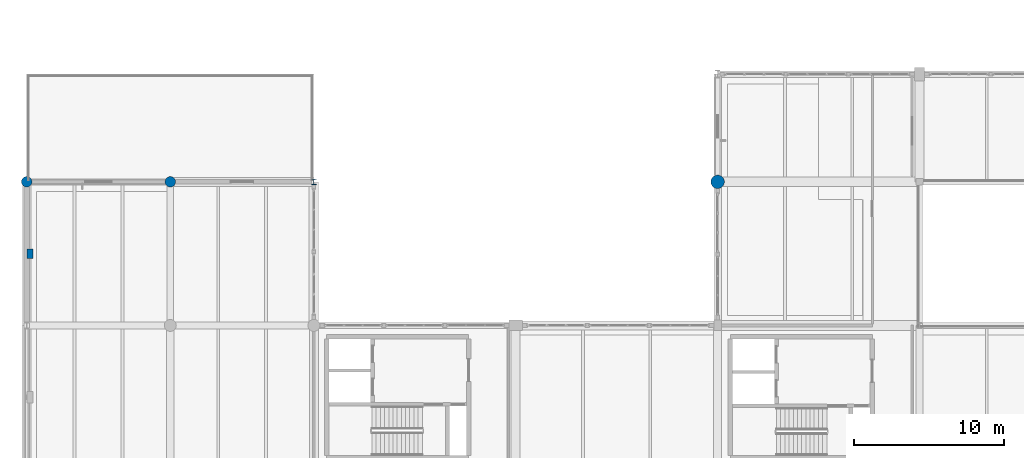
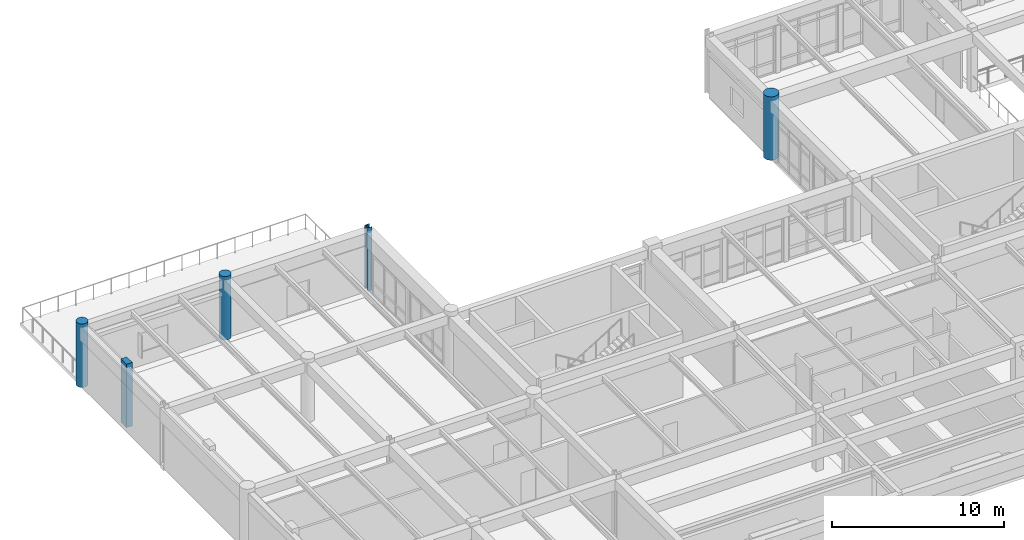
# One storey, part 3 of 80: 5 columns.
"""IFC4 building model written with IfcOpenShell, lengths in metres."""

from ifc_helpers import new_model, si_unit, direction, frame, origin, origin_2d, place, context, subcontext, project, spatial, rectangle, circle, i_section, extrude, material, material_profile, profile_set, type_object, element, save


model = new_model("IFC4")

# Units and contexts
model_context = context("Model", 3, precision=1e-05, world=origin(), true_north=direction((0.0, 1.0)))
body_context = subcontext(model_context, "Body", "Model", "MODEL_VIEW")
ifc_project = project(units=[si_unit("LENGTHUNIT", "METRE"), si_unit("AREAUNIT", "SQUARE_METRE"), si_unit("VOLUMEUNIT", "CUBIC_METRE"), si_unit("PLANEANGLEUNIT", "RADIAN"), si_unit("MASSUNIT", "GRAM", prefix="KILO")], contexts=[model_context])

# Site, building, storey
site_placement = place(None, origin())
site = spatial("IfcSite", under=ifc_project, at=site_placement, CompositionType="ELEMENT")
building_placement = place(site_placement, origin())
building = spatial("IfcBuilding", under=site, at=building_placement, Name="Fikremerkos Civic Library", CompositionType="ELEMENT")
storey_placement = place(building_placement, frame((0.0, 0.0, 9.89990234375)))
storey = spatial("IfcBuildingStorey", under=building, at=storey_placement, Name="L02", CompositionType="ELEMENT", Elevation=9.89990234375)

# Columns
ifc_material_1 = material(Name="Concrete C45/55", Category="concrete")
ifc_material_profile_1 = material_profile(ifc_material_1, circle(Radius=0.449951171875, at=origin_2d()), Name="RC D900")
ifc_profile_set_1 = profile_set([ifc_material_profile_1], Name="Concrete C45/55")
column_type_1 = type_object("IfcColumnType", Name="Structural column COL-17 RC D900", PredefinedType="COLUMN", material=ifc_profile_set_1)
column_1_placement = place(storey_placement, frame((46.199951171875, 40.800048828125, 0.0), z_axis=(0.0, 0.0, 1.0), x_axis=(1.0, 0.0, 0.0)))
element("IfcColumn", 1, at=column_1_placement, inside=storey, type_object=column_type_1, Name="Column COL-17 L02 5/H", PredefinedType="COLUMN", context=body_context, shape_type="SweptSolid", body=[
    extrude(circle(Radius=0.449951171875, at=origin_2d()), origin(), (0.0, 0.0, 1.0), 4.5),
])
ifc_material_2 = material(Name="Concrete C40/50", Category="concrete")
ifc_material_profile_2 = material_profile(ifc_material_2, circle(Radius=0.35009765625, at=origin_2d()), Name="RC D700")
ifc_profile_set_2 = profile_set([ifc_material_profile_2], Name="Concrete C40/50")
column_type_2 = type_object("IfcColumnType", Name="Structural column COL-19 RC D700", PredefinedType="COLUMN", material=ifc_profile_set_2)
for number, where, z_axis, x_axis, name in (
    (2, (0.0, 40.800048828125, 0.0), (0.0, 0.0, 1.0), (1.0, 0.0, 0.0), "Column COL-19 L02 1/H"),
    (3, (9.60009765625, 40.800048828125, 0.0), (0.0, 0.0, 1.0), (1.0, 0.0, 0.0), "Column COL-19 L02 2/H"),
):
    element("IfcColumn", number, at=place(storey_placement, frame(where, z_axis=z_axis, x_axis=x_axis)), inside=storey, type_object=column_type_2, Name=name, PredefinedType="COLUMN", context=body_context, shape_type="SweptSolid", body=[
        extrude(circle(Radius=0.35009765625, at=origin_2d()), origin(), (0.0, 0.0, 1.0), 4.5),
    ])
ifc_material_3 = material(Name="Steel S355", Category="steel")
ifc_material_profile_3 = material_profile(ifc_material_3, i_section(OverallWidth=0.300048828125, OverallDepth=0.360107421875, WebThickness=0.012451171875, FlangeThickness=0.0224609375, FilletRadius=0.027099609375, at=origin_2d()), Name="HEB 360")
ifc_profile_set_3 = profile_set([ifc_material_profile_3], Name="Steel S355")
column_type_3 = type_object("IfcColumnType", Name="Structural column COL-25 HEB 360", PredefinedType="COLUMN", material=ifc_profile_set_3)
column_2_placement = place(storey_placement, frame((19.199951171875, 40.800048828125, 0.0), z_axis=(0.0, 0.0, 1.0), x_axis=(1.0, 0.0, 0.0)))
element("IfcColumn", 4, at=column_2_placement, inside=storey, type_object=column_type_3, Name="Column COL-25 L02 3/H", PredefinedType="COLUMN", context=body_context, shape_type="SweptSolid", body=[
    extrude(i_section(OverallWidth=0.300048828125, OverallDepth=0.360107421875, WebThickness=0.012451171875, FlangeThickness=0.0224609375, FilletRadius=0.027099609375, at=origin_2d()), origin(), (0.0, 0.0, 1.0), 4.5),
])
ifc_material_profile_4 = material_profile(ifc_material_2, rectangle(XDim=0.39990234375, YDim=0.64990234375, at=origin_2d()), Name="RC 400x650")
ifc_profile_set_4 = profile_set([ifc_material_profile_4], Name="Concrete C40/50")
column_type_4 = type_object("IfcColumnType", Name="Wall pilaster PIL-03 RC 400x650", PredefinedType="PILASTER", material=ifc_profile_set_4)
column_3_placement = place(storey_placement, frame((0.219970703125, 36.0, 0.0), z_axis=(0.0, 0.0, 1.0), x_axis=(1.0, 0.0, 0.0)))
element("IfcColumn", 5, at=column_3_placement, inside=storey, type_object=column_type_4, Name="Wall pilaster PIL-03 L02 W4", PredefinedType="PILASTER", context=body_context, shape_type="SweptSolid", body=[
    extrude(rectangle(XDim=0.39990234375, YDim=0.64990234375, at=origin_2d()), origin(), (0.0, 0.0, 1.0), 4.5),
])

save(model, "model.ifc")
